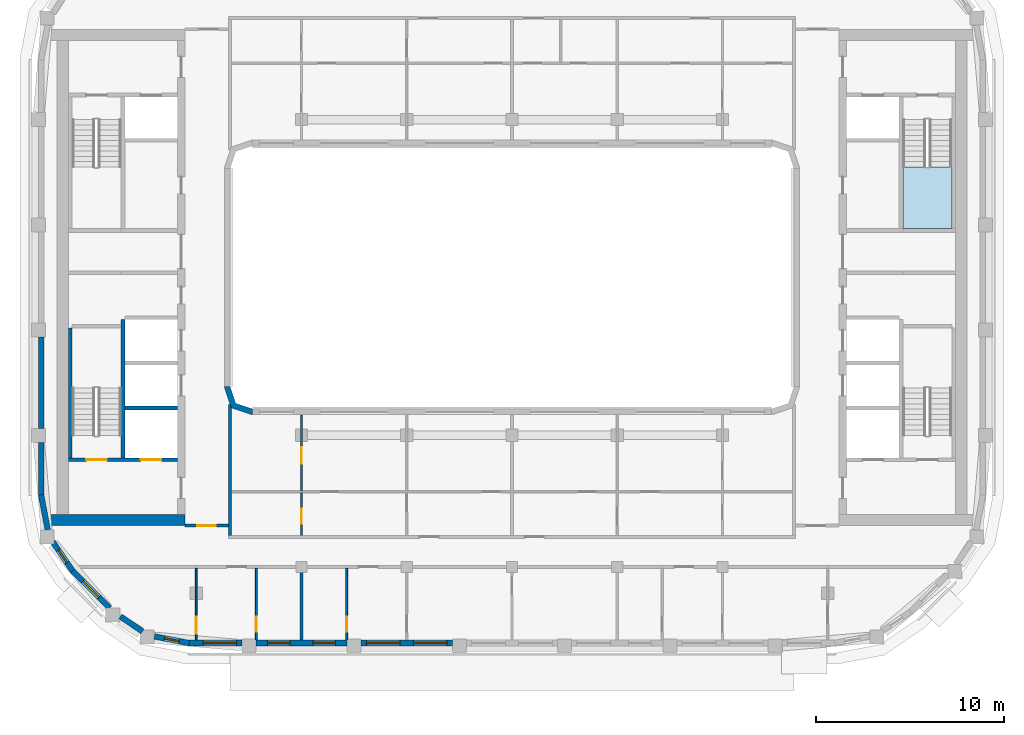
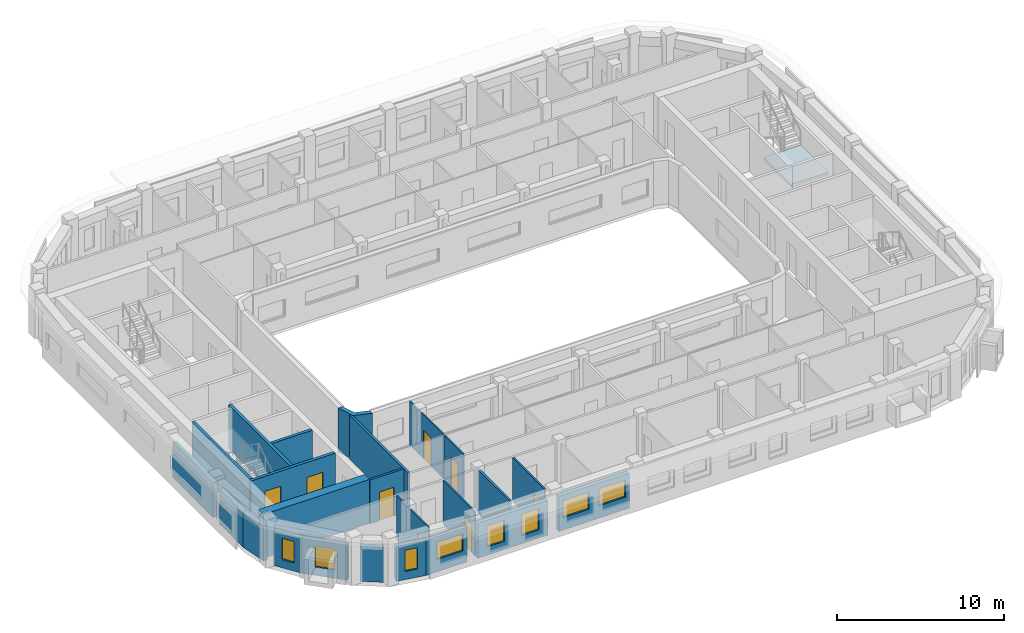
# One storey, part 2 of 16: 24 walls, 8 doors, 8 windows, 1 slab, 16 openings, 1 element without a shape of its own.
"""IFC4 building model written with IfcOpenShell, lengths in metres."""

from ifc_helpers import new_model, si_unit, direction, frame, frame_2d, origin, place, context, subcontext, project, spatial, polyline, rectangle, outline, extrude, material, layer, layer_set, type_object, element, fill, aggregate, save


model = new_model("IFC4")

# Units and contexts
model_context = context("Model", 3, precision=1e-05, world=origin(), true_north=direction((0.0, 1.0)))
body_context = subcontext(model_context, "Body", "Model", "MODEL_VIEW")
ifc_project = project(units=[si_unit("LENGTHUNIT", "METRE"), si_unit("AREAUNIT", "SQUARE_METRE"), si_unit("VOLUMEUNIT", "CUBIC_METRE"), si_unit("PLANEANGLEUNIT", "RADIAN"), si_unit("MASSUNIT", "GRAM", prefix="KILO")], contexts=[model_context])

# Site, building, storey
site_placement = place(None, origin())
site = spatial("IfcSite", under=ifc_project, at=site_placement, CompositionType="ELEMENT")
building_placement = place(site_placement, origin())
building = spatial("IfcBuilding", under=site, at=building_placement, Name="Kiln Ring Residences", CompositionType="ELEMENT")
storey_placement = place(building_placement, frame((0.0, 0.0, 273.199951171875)))
storey = spatial("IfcBuildingStorey", under=building, at=storey_placement, Name="L71", CompositionType="ELEMENT", Elevation=273.199951171875)

# Stair, slab
ifc_material_1 = material(Name="Concrete C40/50", Category="concrete")
stair_type = type_object("IfcStairType", Name="CORE-STAIR", PredefinedType="HALF_TURN_STAIR", material=ifc_material_1)
placement = place(storey_placement, origin())
stair = element("IfcStair", 1, at=placement, inside=storey, type_object=stair_type, Name="L71 stair E-STN", PredefinedType="HALF_TURN_STAIR")
ifc_material_2 = material(Name="Concrete C40/50", Category="concrete")
ifc_layer_1 = layer(ifc_material_2, 0.199951171875)
ifc_layer_set_1 = layer_set([ifc_layer_1], Name="CORE-STAIR-LANDING")
slab_type = type_object("IfcSlabType", Name="CORE-STAIR-LANDING", PredefinedType="LANDING", material=ifc_layer_set_1)
slab_placement = place(storey_placement, frame((0.0, 0.0, 1.550048828125)))
slab = element("IfcSlab", 2, at=slab_placement, type_object=slab_type, Name="E-STN landing 1", PredefinedType="LANDING", context=body_context, shape_type="SweptSolid", body=[
    extrude(outline(polyline([(20.800048828125, 5.8798828125), (20.800048828125, 2.60009765625), (23.39990234375, 2.60009765625), (23.39990234375, 5.8798828125), (20.800048828125, 5.8798828125)])), origin(), (0.0, 0.0, 1.0), 0.199951171875),
])
aggregate(stair, [slab])

# Walls
ifc_material_3 = material(Name="Gypsum shaft wall system")
ifc_layer_2 = layer(ifc_material_3, 0.199951171875)
ifc_layer_set_2 = layer_set([ifc_layer_2], Name="CORE-SHAFT-WALL-200")
wall_type_1 = type_object("IfcWallType", Name="CORE-SHAFT-WALL-200", PredefinedType="PARTITIONING", material=ifc_layer_set_2)
wall_1_placement = place(storey_placement, frame((-17.800048828125, -6.949951171875, 0.0), z_axis=(0.0, 0.0, 1.0), x_axis=(-1.0, 0.0, 0.0)))
element("IfcWall", 3, at=wall_1_placement, inside=storey, type_object=wall_type_1, Name="Core partition west L71 2", PredefinedType="PARTITIONING", context=body_context, shape_type="SweptSolid", body=[
    extrude(rectangle(XDim=2.800048828125, YDim=0.199951171875, at=frame_2d((1.39990234375, 0.0))), origin(), (0.0, 0.0, 1.0), 3.199951171875),
])
ifc_material_4 = material(Name="Concrete C40/50", Category="concrete")
ifc_layer_3 = layer(ifc_material_4, 0.199951171875)
ifc_layer_set_3 = layer_set([ifc_layer_3], Name="CORE-WALL-RC200")
wall_type_2 = type_object("IfcWallType", Name="CORE-WALL-RC200", PredefinedType="SHEAR", material=ifc_layer_set_3)
wall_2_placement = place(storey_placement, frame((-20.699951171875, -9.60009765625, 0.0), z_axis=(0.0, 0.0, 1.0), x_axis=(0.0, 1.0, 0.0)))
element("IfcWall", 4, at=wall_2_placement, inside=storey, type_object=wall_type_2, Name="Core wall west L71 2", PredefinedType="SHEAR", context=body_context, shape_type="SweptSolid", body=[
    extrude(rectangle(XDim=7.35009765625, YDim=0.199951171875, at=frame_2d((3.675048828125, 0.0))), origin(), (0.0, 0.0, 1.0), 3.199951171875),
])

# Wall, openings, doors
wall_3_placement = place(storey_placement, frame((-17.800048828125, -9.699951171875, 0.0), z_axis=(0.0, 0.0, 1.0), x_axis=(-1.0, 0.0, 0.0)))
wall_3 = element("IfcWall", 5, at=wall_3_placement, inside=storey, type_object=wall_type_2, Name="Core wall west L71 8", PredefinedType="SHEAR", context=body_context, shape_type="SweptSolid", body=[
    extrude(rectangle(XDim=5.800048828125, YDim=0.199951171875, at=frame_2d((2.89990234375, 0.0))), origin(), (0.0, 0.0, 1.0), 3.199951171875),
])
opening_1_placement = place(wall_3_placement, frame((0.85009765625, 0.0, 0.0)))
opening_1 = element("IfcOpeningElement", 6, at=opening_1_placement, cuts=wall_3, Name="Opening L71-CW01", PredefinedType="OPENING", context=body_context, shape_type="SweptSolid", body=[
    extrude(rectangle(XDim=1.10009765625, YDim=2.10009765625, at=frame_2d((0.550048828125, 1.050048828125))), frame((0.0, 0.10986328125, 0.0), z_axis=(0.0, -1.0, 0.0), x_axis=(1.0, 0.0, 0.0)), (0.0, 0.0, 1.0), 0.219970703125),
])
opening_2_placement = place(wall_3_placement, frame((3.75, 0.0, 0.0)))
opening_2 = element("IfcOpeningElement", 7, at=opening_2_placement, cuts=wall_3, Name="Opening L71-CW10", PredefinedType="OPENING", context=body_context, shape_type="SweptSolid", body=[
    extrude(rectangle(XDim=1.10009765625, YDim=2.10009765625, at=frame_2d((0.550048828125, 1.050048828125))), frame((0.0, 0.10986328125, 0.0), z_axis=(0.0, -1.0, 0.0), x_axis=(1.0, 0.0, 0.0)), (0.0, 0.0, 1.0), 0.219970703125),
])
ifc_material_5 = material(Name="Steel door leaf", Category="steel")
door_type_1 = type_object("IfcDoorType", Name="CORE-DOOR-LD", OperationType="DOUBLE_DOOR_SLIDING", PredefinedType="DOOR", material=ifc_material_5)
door_1_placement = place(opening_1_placement, origin())
door_1 = element("IfcDoor", 8, at=door_1_placement, inside=storey, type_object=door_type_1, Name="LD W-SV L71-CW01", OperationType="DOUBLE_DOOR_SLIDING", OverallHeight=2.10009765625, OverallWidth=1.10009765625, PredefinedType="DOOR", context=body_context, shape_type="SweptSolid", body=[
    extrude(rectangle(XDim=1.10009765625, YDim=2.10009765625, at=frame_2d((0.550048828125, 1.050048828125))), frame((0.0, 0.02490234375, 0.0), z_axis=(0.0, -1.0, 0.0), x_axis=(1.0, 0.0, 0.0)), (0.0, 0.0, 1.0), 0.050048828125),
])
fill(opening_1, door_1)
ifc_material_6 = material(Name="Steel door leaf", Category="steel")
door_type_2 = type_object("IfcDoorType", Name="CORE-DOOR-STAIR", OperationType="SINGLE_SWING_LEFT", PredefinedType="DOOR", material=ifc_material_6)
door_2_placement = place(opening_2_placement, origin())
door_2 = element("IfcDoor", 9, at=door_2_placement, inside=storey, type_object=door_type_2, Name="Stair W-STS L71-CW10", OperationType="SINGLE_SWING_LEFT", OverallHeight=2.10009765625, OverallWidth=1.10009765625, PredefinedType="DOOR", context=body_context, shape_type="SweptSolid", body=[
    extrude(rectangle(XDim=1.10009765625, YDim=2.10009765625, at=frame_2d((0.550048828125, 1.050048828125))), frame((0.0, 0.02490234375, 0.0), z_axis=(0.0, -1.0, 0.0), x_axis=(1.0, 0.0, 0.0)), (0.0, 0.0, 1.0), 0.050048828125),
])
fill(opening_2, door_2)

# Walls
wall_4_placement = place(storey_placement, frame((-23.5, -9.60009765625, 0.0), z_axis=(0.0, 0.0, 1.0), x_axis=(0.0, 1.0, 0.0)))
element("IfcWall", 10, at=wall_4_placement, inside=storey, type_object=wall_type_2, Name="Core wall west L71 11", PredefinedType="SHEAR", context=body_context, shape_type="SweptSolid", body=[
    extrude(rectangle(XDim=6.900146484375, YDim=0.199951171875, at=frame_2d((3.4501953125, 0.0))), origin(), (0.0, 0.0, 1.0), 3.199951171875),
])
ifc_material_7 = material(Name="Concrete C60/75", Category="concrete")
ifc_layer_4 = layer(ifc_material_7, 0.60009765625)
ifc_layer_set_4 = layer_set([ifc_layer_4], Name="CORE-WALL-RC600")
wall_type_3 = type_object("IfcWallType", Name="CORE-WALL-RC600", PredefinedType="SHEAR", material=ifc_layer_set_4)
wall_5_placement = place(storey_placement, frame((-17.39990234375, -12.89990234375, 0.0), z_axis=(0.0, 0.0, 1.0), x_axis=(-1.0, 0.0, 0.0)))
element("IfcWall", 11, at=wall_5_placement, inside=storey, type_object=wall_type_3, Name="Core wall west L71 5", PredefinedType="SHEAR", context=body_context, shape_type="SweptSolid", body=[
    extrude(rectangle(XDim=7.320068359375, YDim=0.60009765625, at=frame_2d((3.66015625, 0.0))), origin(), (0.0, 0.0, 1.0), 3.199951171875),
])

# Wall, opening, window
ifc_material_8 = material(Name="Brick masonry, dark clay brick", Category="masonry")
ifc_layer_5 = layer(ifc_material_8, 0.300048828125)
ifc_layer_set_5 = layer_set([ifc_layer_5], Name="EW-300 BRICK WALL")
wall_type_4 = type_object("IfcWallType", Name="EW-300 BRICK WALL", PredefinedType="SOLIDWALL", material=ifc_layer_set_5)
wall_6_placement = place(storey_placement, frame((-23.39697265625, -15.591064453125, 0.0), z_axis=(0.0, 0.0, 1.0), x_axis=(0.707106781187, -0.707106781187, 0.0)))
wall_6 = element("IfcWall", 12, at=wall_6_placement, inside=storey, type_object=wall_type_4, Name="Facade wall L71 1", PredefinedType="SOLIDWALL", context=body_context, shape_type="SweptSolid", body=[
    extrude(rectangle(XDim=2.824951171875, YDim=0.300048828125, at=frame_2d((1.41259765625, 0.0))), origin(), (0.0, 0.0, 1.0), 2.550048828125),
])
opening_3_placement = place(wall_6_placement, frame((0.8125, 0.0, 0.60009765625)))
opening_3 = element("IfcOpeningElement", 13, at=opening_3_placement, cuts=wall_6, Name="Opening W1", PredefinedType="OPENING", context=body_context, shape_type="SweptSolid", body=[
    extrude(rectangle(XDim=1.199951171875, YDim=1.550048828125, at=frame_2d((0.60009765625, 0.77490234375))), frame((0.0, 0.159912109375, 0.0), z_axis=(0.0, -1.0, 0.0), x_axis=(1.0, 0.0, 0.0)), (0.0, 0.0, 1.0), 0.320068359375),
])
ifc_material_9 = material(Name="Aluminium frame with double glazing", Category="aluminium")
window_type_1 = type_object("IfcWindowType", Name="WINDOW 1200 x 1550", PartitioningType="SINGLE_PANEL", PredefinedType="WINDOW", material=ifc_material_9)
window_1_placement = place(opening_3_placement, origin())
window_1 = element("IfcWindow", 14, at=window_1_placement, inside=storey, type_object=window_type_1, Name="Window L71 1", OverallHeight=1.550048828125, OverallWidth=1.199951171875, PartitioningType="SINGLE_PANEL", PredefinedType="WINDOW", context=body_context, shape_type="SweptSolid", body=[
    extrude(rectangle(XDim=1.199951171875, YDim=1.550048828125, at=frame_2d((0.60009765625, 0.77490234375))), frame((0.0, 0.030029296875, 0.0), z_axis=(0.0, -1.0, 0.0), x_axis=(1.0, 0.0, 0.0)), (0.0, 0.0, 1.0), 0.06005859375),
])
fill(opening_3, window_1)

# Wall
wall_7_placement = place(storey_placement, frame((-20.837158203125, -18.0341796875, 0.0), z_axis=(0.0, 0.0, 1.0), x_axis=(0.827095130818, -0.562061957952, 0.0)))
element("IfcWall", 15, at=wall_7_placement, inside=storey, type_object=wall_type_4, Name="Facade wall L71 2", PredefinedType="SOLIDWALL", context=body_context, shape_type="SweptSolid", body=[
    extrude(rectangle(XDim=1.427001953125, YDim=0.300048828125, at=frame_2d((0.71337890625, 0.0))), origin(), (0.0, 0.0, 1.0), 2.550048828125),
])

# Wall, opening, window
wall_8_placement = place(storey_placement, frame((-19.019775390625, -19.10009765625, 0.0), z_axis=(0.0, 0.0, 1.0), x_axis=(0.982284001233, -0.187398348234, 0.0)))
wall_8 = element("IfcWall", 16, at=wall_8_placement, inside=storey, type_object=wall_type_4, Name="Facade wall L71 3", PredefinedType="SOLIDWALL", context=body_context, shape_type="SweptSolid", body=[
    extrude(rectangle(XDim=1.88134765625, YDim=0.300048828125, at=frame_2d((0.940673828125, 0.0))), origin(), (0.0, 0.0, 1.0), 2.550048828125),
])
opening_4_placement = place(wall_8_placement, frame((0.54052734375, 0.0, 0.60009765625)))
opening_4 = element("IfcOpeningElement", 17, at=opening_4_placement, cuts=wall_8, Name="Opening W5", PredefinedType="OPENING", context=body_context, shape_type="SweptSolid", body=[
    extrude(rectangle(XDim=0.800048828125, YDim=1.550048828125, at=frame_2d((0.39990234375, 0.77490234375))), frame((0.0, 0.159912109375, 0.0), z_axis=(0.0, -1.0, 0.0), x_axis=(1.0, 0.0, 0.0)), (0.0, 0.0, 1.0), 0.320068359375),
])
ifc_material_10 = material(Name="Aluminium frame with double glazing", Category="aluminium")
window_type_2 = type_object("IfcWindowType", Name="WINDOW 800 x 1550", PartitioningType="SINGLE_PANEL", PredefinedType="WINDOW", material=ifc_material_10)
window_2_placement = place(opening_4_placement, origin())
window_2 = element("IfcWindow", 18, at=window_2_placement, inside=storey, type_object=window_type_2, Name="Window L71 2", OverallHeight=1.550048828125, OverallWidth=0.800048828125, PartitioningType="SINGLE_PANEL", PredefinedType="WINDOW", context=body_context, shape_type="SweptSolid", body=[
    extrude(rectangle(XDim=0.800048828125, YDim=1.550048828125, at=frame_2d((0.39990234375, 0.77490234375))), frame((0.0, 0.030029296875, 0.0), z_axis=(0.0, -1.0, 0.0), x_axis=(1.0, 0.0, 0.0)), (0.0, 0.0, 1.0), 0.06005859375),
])
fill(opening_4, window_2)

wall_9_placement = place(storey_placement, frame((-17.199951171875, -19.449951171875, 0.0), z_axis=(0.0, 0.0, 1.0), x_axis=(1.0, 0.0, 0.0)))
wall_9 = element("IfcWall", 19, at=wall_9_placement, inside=storey, type_object=wall_type_4, Name="Facade wall L71 4", PredefinedType="SOLIDWALL", context=body_context, shape_type="SweptSolid", body=[
    extrude(rectangle(XDim=2.824951171875, YDim=0.300048828125, at=frame_2d((1.41259765625, 0.0))), origin(), (0.0, 0.0, 1.0), 2.550048828125),
])
opening_5_placement = place(wall_9_placement, frame((0.75, 0.0, 0.89990234375)))
opening_5 = element("IfcOpeningElement", 20, at=opening_5_placement, cuts=wall_9, Name="Opening W2", PredefinedType="OPENING", context=body_context, shape_type="SweptSolid", body=[
    extrude(rectangle(XDim=1.800048828125, YDim=1.25, at=frame_2d((0.89990234375, 0.625))), frame((0.0, 0.159912109375, 0.0), z_axis=(0.0, -1.0, 0.0), x_axis=(1.0, 0.0, 0.0)), (0.0, 0.0, 1.0), 0.320068359375),
])
ifc_material_11 = material(Name="Aluminium frame with double glazing", Category="aluminium")
window_type_3 = type_object("IfcWindowType", Name="WINDOW 1800 x 1250", PartitioningType="SINGLE_PANEL", PredefinedType="WINDOW", material=ifc_material_11)
window_3_placement = place(opening_5_placement, origin())
window_3 = element("IfcWindow", 21, at=window_3_placement, inside=storey, type_object=window_type_3, Name="Window L71 3", OverallHeight=1.25, OverallWidth=1.800048828125, PartitioningType="SINGLE_PANEL", PredefinedType="WINDOW", context=body_context, shape_type="SweptSolid", body=[
    extrude(rectangle(XDim=1.800048828125, YDim=1.25, at=frame_2d((0.89990234375, 0.625))), frame((0.0, 0.030029296875, 0.0), z_axis=(0.0, -1.0, 0.0), x_axis=(1.0, 0.0, 0.0)), (0.0, 0.0, 1.0), 0.06005859375),
])
fill(opening_5, window_3)

# Wall, openings, windows
wall_10_placement = place(storey_placement, frame((-13.625, -19.449951171875, 0.0), z_axis=(0.0, 0.0, 1.0), x_axis=(1.0, 0.0, 0.0)))
wall_10 = element("IfcWall", 22, at=wall_10_placement, inside=storey, type_object=wall_type_4, Name="Facade wall L71 5", PredefinedType="SOLIDWALL", context=body_context, shape_type="SweptSolid", body=[
    extrude(rectangle(XDim=4.85009765625, YDim=0.300048828125, at=frame_2d((2.425048828125, 0.0))), origin(), (0.0, 0.0, 1.0), 2.550048828125),
])
opening_6_placement = place(wall_10_placement, frame((0.625, 0.0, 0.60009765625)))
opening_6 = element("IfcOpeningElement", 23, at=opening_6_placement, cuts=wall_10, Name="Opening W1", PredefinedType="OPENING", context=body_context, shape_type="SweptSolid", body=[
    extrude(rectangle(XDim=1.199951171875, YDim=1.550048828125, at=frame_2d((0.60009765625, 0.77490234375))), frame((0.0, 0.159912109375, 0.0), z_axis=(0.0, -1.0, 0.0), x_axis=(1.0, 0.0, 0.0)), (0.0, 0.0, 1.0), 0.320068359375),
])
opening_7_placement = place(wall_10_placement, frame((3.02490234375, 0.0, 0.60009765625)))
opening_7 = element("IfcOpeningElement", 24, at=opening_7_placement, cuts=wall_10, Name="Opening W1", PredefinedType="OPENING", context=body_context, shape_type="SweptSolid", body=[
    extrude(rectangle(XDim=1.199951171875, YDim=1.550048828125, at=frame_2d((0.60009765625, 0.77490234375))), frame((0.0, 0.159912109375, 0.0), z_axis=(0.0, -1.0, 0.0), x_axis=(1.0, 0.0, 0.0)), (0.0, 0.0, 1.0), 0.320068359375),
])
window_4_placement = place(opening_6_placement, origin())
window_4 = element("IfcWindow", 25, at=window_4_placement, inside=storey, type_object=window_type_1, Name="Window L71 4", OverallHeight=1.550048828125, OverallWidth=1.199951171875, PartitioningType="SINGLE_PANEL", PredefinedType="WINDOW", context=body_context, shape_type="SweptSolid", body=[
    extrude(rectangle(XDim=1.199951171875, YDim=1.550048828125, at=frame_2d((0.60009765625, 0.77490234375))), frame((0.0, 0.030029296875, 0.0), z_axis=(0.0, -1.0, 0.0), x_axis=(1.0, 0.0, 0.0)), (0.0, 0.0, 1.0), 0.06005859375),
])
fill(opening_6, window_4)
window_5_placement = place(opening_7_placement, origin())
window_5 = element("IfcWindow", 26, at=window_5_placement, inside=storey, type_object=window_type_1, Name="Window L71 5", OverallHeight=1.550048828125, OverallWidth=1.199951171875, PartitioningType="SINGLE_PANEL", PredefinedType="WINDOW", context=body_context, shape_type="SweptSolid", body=[
    extrude(rectangle(XDim=1.199951171875, YDim=1.550048828125, at=frame_2d((0.60009765625, 0.77490234375))), frame((0.0, 0.030029296875, 0.0), z_axis=(0.0, -1.0, 0.0), x_axis=(1.0, 0.0, 0.0)), (0.0, 0.0, 1.0), 0.06005859375),
])
fill(opening_7, window_5)

wall_11_placement = place(storey_placement, frame((-8.02490234375, -19.449951171875, 0.0), z_axis=(0.0, 0.0, 1.0), x_axis=(1.0, 0.0, 0.0)))
wall_11 = element("IfcWall", 27, at=wall_11_placement, inside=storey, type_object=wall_type_4, Name="Facade wall L71 6", PredefinedType="SOLIDWALL", context=body_context, shape_type="SweptSolid", body=[
    extrude(rectangle(XDim=4.849853515625, YDim=0.300048828125, at=frame_2d((2.4248046875, 0.0))), origin(), (0.0, 0.0, 1.0), 2.550048828125),
])
opening_8_placement = place(wall_11_placement, frame((0.27490234375, 0.0, 0.89990234375)))
opening_8 = element("IfcOpeningElement", 28, at=opening_8_placement, cuts=wall_11, Name="Opening W2", PredefinedType="OPENING", context=body_context, shape_type="SweptSolid", body=[
    extrude(rectangle(XDim=1.800048828125, YDim=1.25, at=frame_2d((0.89990234375, 0.625))), frame((0.0, 0.159912109375, 0.0), z_axis=(0.0, -1.0, 0.0), x_axis=(1.0, 0.0, 0.0)), (0.0, 0.0, 1.0), 0.320068359375),
])
opening_9_placement = place(wall_11_placement, frame((2.77490234375, 0.0, 0.89990234375)))
opening_9 = element("IfcOpeningElement", 29, at=opening_9_placement, cuts=wall_11, Name="Opening W2", PredefinedType="OPENING", context=body_context, shape_type="SweptSolid", body=[
    extrude(rectangle(XDim=1.800048828125, YDim=1.25, at=frame_2d((0.89990234375, 0.625))), frame((0.0, 0.159912109375, 0.0), z_axis=(0.0, -1.0, 0.0), x_axis=(1.0, 0.0, 0.0)), (0.0, 0.0, 1.0), 0.320068359375),
])
window_6_placement = place(opening_8_placement, origin())
window_6 = element("IfcWindow", 30, at=window_6_placement, inside=storey, type_object=window_type_3, Name="Window L71 6", OverallHeight=1.25, OverallWidth=1.800048828125, PartitioningType="SINGLE_PANEL", PredefinedType="WINDOW", context=body_context, shape_type="SweptSolid", body=[
    extrude(rectangle(XDim=1.800048828125, YDim=1.25, at=frame_2d((0.89990234375, 0.625))), frame((0.0, 0.030029296875, 0.0), z_axis=(0.0, -1.0, 0.0), x_axis=(1.0, 0.0, 0.0)), (0.0, 0.0, 1.0), 0.06005859375),
])
fill(opening_8, window_6)
window_7_placement = place(opening_9_placement, origin())
window_7 = element("IfcWindow", 31, at=window_7_placement, inside=storey, type_object=window_type_3, Name="Window L71 7", OverallHeight=1.25, OverallWidth=1.800048828125, PartitioningType="SINGLE_PANEL", PredefinedType="WINDOW", context=body_context, shape_type="SweptSolid", body=[
    extrude(rectangle(XDim=1.800048828125, YDim=1.25, at=frame_2d((0.89990234375, 0.625))), frame((0.0, 0.030029296875, 0.0), z_axis=(0.0, -1.0, 0.0), x_axis=(1.0, 0.0, 0.0)), (0.0, 0.0, 1.0), 0.06005859375),
])
fill(opening_9, window_7)

# Walls
wall_12_placement = place(storey_placement, frame((-25.050048828125, -3.175048828125, 0.0), z_axis=(0.0, 0.0, 1.0), x_axis=(0.0, -1.0, 0.0)))
element("IfcWall", 32, at=wall_12_placement, inside=storey, type_object=wall_type_4, Name="Facade wall L71 41", PredefinedType="SOLIDWALL", context=body_context, shape_type="SweptSolid", body=[
    extrude(rectangle(XDim=4.849853515625, YDim=0.300048828125, at=frame_2d((2.4248046875, 0.0))), origin(), (0.0, 0.0, 1.0), 2.550048828125),
])
wall_13_placement = place(storey_placement, frame((-25.050048828125, -8.77490234375, 0.0), z_axis=(0.0, 0.0, 1.0), x_axis=(0.0, -1.0, 0.0)))
element("IfcWall", 33, at=wall_13_placement, inside=storey, type_object=wall_type_4, Name="Facade wall L71 42", PredefinedType="SOLIDWALL", context=body_context, shape_type="SweptSolid", body=[
    extrude(rectangle(XDim=2.8251953125, YDim=0.300048828125, at=frame_2d((1.41259765625, 0.0))), origin(), (0.0, 0.0, 1.0), 2.550048828125),
])
wall_14_placement = place(storey_placement, frame((-25.052734375, -11.57177734375, 0.0), z_axis=(0.0, 0.0, 1.0), x_axis=(0.187398348234, -0.982284001233, 0.0)))
element("IfcWall", 34, at=wall_14_placement, inside=storey, type_object=wall_type_4, Name="Facade wall L71 43", PredefinedType="SOLIDWALL", context=body_context, shape_type="SweptSolid", body=[
    extrude(rectangle(XDim=1.88134765625, YDim=0.300048828125, at=frame_2d((0.940673828125, 0.0))), origin(), (0.0, 0.0, 1.0), 2.550048828125),
])

# Wall, opening, window
wall_15_placement = place(storey_placement, frame((-24.436279296875, -14.056884765625, 0.0), z_axis=(0.0, 0.0, 1.0), x_axis=(0.562075713892, -0.827085782645, 0.0)))
wall_15 = element("IfcWall", 35, at=wall_15_placement, inside=storey, type_object=wall_type_4, Name="Facade wall L71 44", PredefinedType="SOLIDWALL", context=body_context, shape_type="SweptSolid", body=[
    extrude(rectangle(XDim=1.881103515625, YDim=0.300048828125, at=frame_2d((0.9404296875, 0.0))), origin(), (0.0, 0.0, 1.0), 2.550048828125),
])
opening_10_placement = place(wall_15_placement, frame((0.54052734375, 0.0, 0.60009765625)))
opening_10 = element("IfcOpeningElement", 36, at=opening_10_placement, cuts=wall_15, Name="Opening W5", PredefinedType="OPENING", context=body_context, shape_type="SweptSolid", body=[
    extrude(rectangle(XDim=0.800048828125, YDim=1.550048828125, at=frame_2d((0.39990234375, 0.77490234375))), frame((0.0, 0.159912109375, 0.0), z_axis=(0.0, -1.0, 0.0), x_axis=(1.0, 0.0, 0.0)), (0.0, 0.0, 1.0), 0.320068359375),
])
window_8_placement = place(opening_10_placement, origin())
window_8 = element("IfcWindow", 37, at=window_8_placement, inside=storey, type_object=window_type_2, Name="Window L71 36", OverallHeight=1.550048828125, OverallWidth=0.800048828125, PartitioningType="SINGLE_PANEL", PredefinedType="WINDOW", context=body_context, shape_type="SweptSolid", body=[
    extrude(rectangle(XDim=0.800048828125, YDim=1.550048828125, at=frame_2d((0.39990234375, 0.77490234375))), frame((0.0, 0.030029296875, 0.0), z_axis=(0.0, -1.0, 0.0), x_axis=(1.0, 0.0, 0.0)), (0.0, 0.0, 1.0), 0.06005859375),
])
fill(opening_10, window_8)

# Wall
element("IfcWall", 38, at=placement, inside=storey, type_object=wall_type_4, Name="Corner wall L71 4", PredefinedType="SOLIDWALL", context=body_context, shape_type="SweptSolid", body=[
    extrude(outline(polyline([(-14.937255859375, -6.937255859375), (-13.8486328125, -7.300048828125), (-13.800048828125, -7.300048828125), (-13.800048828125, -7.0), (-14.699951171875, -6.699951171875), (-15.0, -5.800048828125), (-15.300048828125, -5.800048828125), (-15.300048828125, -5.8486328125), (-14.937255859375, -6.937255859375)])), origin(), (0.0, 0.0, 1.0), 3.199951171875),
])

# Wall, opening, door
ifc_material_12 = material(Name="Gypsum board on steel studs", Category="steel")
ifc_layer_6 = layer(ifc_material_12, 0.10009765625)
ifc_layer_set_6 = layer_set([ifc_layer_6], Name="PARTITION-100")
wall_type_5 = type_object("IfcWallType", Name="PARTITION-100", PredefinedType="PARTITIONING", material=ifc_layer_set_6)
wall_17_placement = place(storey_placement, frame((-16.800048828125, -19.280029296875, 0.0), z_axis=(0.0, 0.0, 1.0), x_axis=(0.0, 1.0, 0.0)))
wall_17 = element("IfcWall", 39, at=wall_17_placement, inside=storey, type_object=wall_type_5, Name="Partition 010", PredefinedType="PARTITIONING", context=body_context, shape_type="SweptSolid", body=[
    extrude(rectangle(XDim=3.804931640625, YDim=0.10009765625, at=frame_2d((1.90234375, 0.0))), origin(), (0.0, 0.0, 1.0), 3.199951171875),
])
opening_11_placement = place(wall_17_placement, frame((0.3291015625, 0.0, 0.0)))
opening_11 = element("IfcOpeningElement", 40, at=opening_11_placement, cuts=wall_17, Name="Opening L71-D044", PredefinedType="OPENING", context=body_context, shape_type="SweptSolid", body=[
    extrude(rectangle(XDim=0.89990234375, YDim=2.10009765625, at=frame_2d((0.449951171875, 1.050048828125))), frame((0.0, 0.06005859375, 0.0), z_axis=(0.0, -1.0, 0.0), x_axis=(1.0, 0.0, 0.0)), (0.0, 0.0, 1.0), 0.1201171875),
])
ifc_material_13 = material(Name="Timber door leaf", Category="wood")
door_type_3 = type_object("IfcDoorType", Name="FLAT-DOOR-900-PL", OperationType="SINGLE_SWING_LEFT", PredefinedType="DOOR", material=ifc_material_13)
door_3_placement = place(opening_11_placement, origin())
door_3 = element("IfcDoor", 41, at=door_3_placement, inside=storey, type_object=door_type_3, Name="Door L71-D044", OperationType="SINGLE_SWING_RIGHT", OverallHeight=2.10009765625, OverallWidth=0.89990234375, PredefinedType="DOOR", context=body_context, shape_type="SweptSolid", body=[
    extrude(rectangle(XDim=0.89990234375, YDim=2.10009765625, at=frame_2d((0.449951171875, 1.050048828125))), frame((0.0, 0.02490234375, 0.0), z_axis=(0.0, -1.0, 0.0), x_axis=(1.0, 0.0, 0.0)), (0.0, 0.0, 1.0), 0.050048828125),
])
fill(opening_11, door_3)

wall_18_placement = place(storey_placement, frame((-13.60009765625, -19.280029296875, 0.0), z_axis=(0.0, 0.0, 1.0), x_axis=(0.0, 1.0, 0.0)))
wall_18 = element("IfcWall", 42, at=wall_18_placement, inside=storey, type_object=wall_type_5, Name="Partition 014", PredefinedType="PARTITIONING", context=body_context, shape_type="SweptSolid", body=[
    extrude(rectangle(XDim=3.804931640625, YDim=0.10009765625, at=frame_2d((1.90234375, 0.0))), origin(), (0.0, 0.0, 1.0), 3.199951171875),
])
opening_12_placement = place(wall_18_placement, frame((0.419921875, 0.0, 0.0)))
opening_12 = element("IfcOpeningElement", 43, at=opening_12_placement, cuts=wall_18, Name="Opening L71-D043", PredefinedType="OPENING", context=body_context, shape_type="SweptSolid", body=[
    extrude(rectangle(XDim=0.800048828125, YDim=2.10009765625, at=frame_2d((0.39990234375, 1.050048828125))), frame((0.0, 0.06005859375, 0.0), z_axis=(0.0, -1.0, 0.0), x_axis=(1.0, 0.0, 0.0)), (0.0, 0.0, 1.0), 0.1201171875),
])
ifc_material_14 = material(Name="Timber door leaf", Category="wood")
door_type_4 = type_object("IfcDoorType", Name="FLAT-DOOR-800-PL", OperationType="SINGLE_SWING_LEFT", PredefinedType="DOOR", material=ifc_material_14)
door_4_placement = place(opening_12_placement, origin())
door_4 = element("IfcDoor", 44, at=door_4_placement, inside=storey, type_object=door_type_4, Name="Door L71-D043", OperationType="SINGLE_SWING_LEFT", OverallHeight=2.10009765625, OverallWidth=0.800048828125, PredefinedType="DOOR", context=body_context, shape_type="SweptSolid", body=[
    extrude(rectangle(XDim=0.800048828125, YDim=2.10009765625, at=frame_2d((0.39990234375, 1.050048828125))), frame((0.0, 0.02490234375, 0.0), z_axis=(0.0, -1.0, 0.0), x_axis=(1.0, 0.0, 0.0)), (0.0, 0.0, 1.0), 0.050048828125),
])
fill(opening_12, door_4)

wall_19_placement = place(storey_placement, frame((-11.199951171875, -13.72509765625, 0.0), z_axis=(0.0, 0.0, 1.0), x_axis=(0.0, 1.0, 0.0)))
wall_19 = element("IfcWall", 45, at=wall_19_placement, inside=storey, type_object=wall_type_5, Name="Partition 016", PredefinedType="PARTITIONING", context=body_context, shape_type="SweptSolid", body=[
    extrude(rectangle(XDim=2.275146484375, YDim=0.10009765625, at=frame_2d((1.1376953125, 0.0))), origin(), (0.0, 0.0, 1.0), 3.199951171875),
])
opening_13_placement = place(wall_19_placement, frame((0.625, 0.0, 0.0)))
opening_13 = element("IfcOpeningElement", 46, at=opening_13_placement, cuts=wall_19, Name="Opening L71-D032", PredefinedType="OPENING", context=body_context, shape_type="SweptSolid", body=[
    extrude(rectangle(XDim=0.800048828125, YDim=2.10009765625, at=frame_2d((0.39990234375, 1.050048828125))), frame((0.0, 0.06005859375, 0.0), z_axis=(0.0, -1.0, 0.0), x_axis=(1.0, 0.0, 0.0)), (0.0, 0.0, 1.0), 0.1201171875),
])
door_5_placement = place(opening_13_placement, origin())
door_5 = element("IfcDoor", 47, at=door_5_placement, inside=storey, type_object=door_type_4, Name="Door L71-D032", OperationType="SINGLE_SWING_RIGHT", OverallHeight=2.10009765625, OverallWidth=0.800048828125, PredefinedType="DOOR", context=body_context, shape_type="SweptSolid", body=[
    extrude(rectangle(XDim=0.800048828125, YDim=2.10009765625, at=frame_2d((0.39990234375, 1.050048828125))), frame((0.0, 0.02490234375, 0.0), z_axis=(0.0, -1.0, 0.0), x_axis=(1.0, 0.0, 0.0)), (0.0, 0.0, 1.0), 0.050048828125),
])
fill(opening_13, door_5)

wall_20_placement = place(storey_placement, frame((-11.199951171875, -11.35009765625, 0.0), z_axis=(0.0, 0.0, 1.0), x_axis=(0.0, 1.0, 0.0)))
wall_20 = element("IfcWall", 48, at=wall_20_placement, inside=storey, type_object=wall_type_5, Name="Partition 017", PredefinedType="PARTITIONING", context=body_context, shape_type="SweptSolid", body=[
    extrude(rectangle(XDim=4.030029296875, YDim=0.10009765625, at=frame_2d((2.01513671875, 0.0))), origin(), (0.0, 0.0, 1.0), 3.199951171875),
])
opening_14_placement = place(wall_20_placement, frame((1.429931640625, 0.0, 0.0)))
opening_14 = element("IfcOpeningElement", 49, at=opening_14_placement, cuts=wall_20, Name="Opening L71-D035", PredefinedType="OPENING", context=body_context, shape_type="SweptSolid", body=[
    extrude(rectangle(XDim=0.89990234375, YDim=2.10009765625, at=frame_2d((0.449951171875, 1.050048828125))), frame((0.0, 0.06005859375, 0.0), z_axis=(0.0, -1.0, 0.0), x_axis=(1.0, 0.0, 0.0)), (0.0, 0.0, 1.0), 0.1201171875),
])
door_6_placement = place(opening_14_placement, origin())
door_6 = element("IfcDoor", 50, at=door_6_placement, inside=storey, type_object=door_type_3, Name="Door L71-D035", OperationType="SINGLE_SWING_RIGHT", OverallHeight=2.10009765625, OverallWidth=0.89990234375, PredefinedType="DOOR", context=body_context, shape_type="SweptSolid", body=[
    extrude(rectangle(XDim=0.89990234375, YDim=2.10009765625, at=frame_2d((0.449951171875, 1.050048828125))), frame((0.0, 0.02490234375, 0.0), z_axis=(0.0, -1.0, 0.0), x_axis=(1.0, 0.0, 0.0)), (0.0, 0.0, 1.0), 0.050048828125),
])
fill(opening_14, door_6)

wall_21_placement = place(storey_placement, frame((-8.800048828125, -19.280029296875, 0.0), z_axis=(0.0, 0.0, 1.0), x_axis=(0.0, 1.0, 0.0)))
wall_21 = element("IfcWall", 51, at=wall_21_placement, inside=storey, type_object=wall_type_5, Name="Partition 022", PredefinedType="PARTITIONING", context=body_context, shape_type="SweptSolid", body=[
    extrude(rectangle(XDim=3.804931640625, YDim=0.10009765625, at=frame_2d((1.90234375, 0.0))), origin(), (0.0, 0.0, 1.0), 3.199951171875),
])
opening_15_placement = place(wall_21_placement, frame((0.428955078125, 0.0, 0.0)))
opening_15 = element("IfcOpeningElement", 52, at=opening_15_placement, cuts=wall_21, Name="Opening L71-D046", PredefinedType="OPENING", context=body_context, shape_type="SweptSolid", body=[
    extrude(rectangle(XDim=0.800048828125, YDim=2.10009765625, at=frame_2d((0.39990234375, 1.050048828125))), frame((0.0, 0.06005859375, 0.0), z_axis=(0.0, -1.0, 0.0), x_axis=(1.0, 0.0, 0.0)), (0.0, 0.0, 1.0), 0.1201171875),
])
door_7_placement = place(opening_15_placement, origin())
door_7 = element("IfcDoor", 53, at=door_7_placement, inside=storey, type_object=door_type_4, Name="Door L71-D046", OperationType="SINGLE_SWING_RIGHT", OverallHeight=2.10009765625, OverallWidth=0.800048828125, PredefinedType="DOOR", context=body_context, shape_type="SweptSolid", body=[
    extrude(rectangle(XDim=0.800048828125, YDim=2.10009765625, at=frame_2d((0.39990234375, 1.050048828125))), frame((0.0, 0.02490234375, 0.0), z_axis=(0.0, -1.0, 0.0), x_axis=(1.0, 0.0, 0.0)), (0.0, 0.0, 1.0), 0.050048828125),
])
fill(opening_15, door_7)

ifc_material_15 = material(Name="Brick masonry partition", Category="masonry")
ifc_layer_7 = layer(ifc_material_15, 0.14990234375)
ifc_layer_set_7 = layer_set([ifc_layer_7], Name="PARTITION-150-ei60")
wall_type_6 = type_object("IfcWallType", Name="PARTITION-150-ei60", PredefinedType="PARTITIONING", material=ifc_layer_set_7)
wall_22_placement = place(storey_placement, frame((-17.39990234375, -13.199951171875, 0.0), z_axis=(0.0, 0.0, 1.0), x_axis=(1.0, 0.0, 0.0)))
wall_22 = element("IfcWall", 54, at=wall_22_placement, inside=storey, type_object=wall_type_6, Name="Partition 002", PredefinedType="PARTITIONING", context=body_context, shape_type="SweptSolid", body=[
    extrude(rectangle(XDim=2.324951171875, YDim=0.14990234375, at=frame_2d((1.16259765625, 0.0))), origin(), (0.0, 0.0, 1.0), 3.199951171875),
])
opening_16_placement = place(wall_22_placement, frame((0.64990234375, 0.0, 0.0)))
opening_16 = element("IfcOpeningElement", 55, at=opening_16_placement, cuts=wall_22, Name="Opening L71-D003", PredefinedType="OPENING", context=body_context, shape_type="SweptSolid", body=[
    extrude(rectangle(XDim=1.0, YDim=2.10009765625, at=frame_2d((0.5, 1.050048828125))), frame((0.0, 0.0849609375, 0.0), z_axis=(0.0, -1.0, 0.0), x_axis=(1.0, 0.0, 0.0)), (0.0, 0.0, 1.0), 0.169921875),
])
ifc_material_16 = material(Name="Steel faced fire door leaf", Category="steel")
door_type_5 = type_object("IfcDoorType", Name="FLAT-DOOR-1000-FR", OperationType="SINGLE_SWING_LEFT", PredefinedType="DOOR", material=ifc_material_16)
door_8_placement = place(opening_16_placement, origin())
door_8 = element("IfcDoor", 56, at=door_8_placement, inside=storey, type_object=door_type_5, Name="Door L71-D003", OperationType="SINGLE_SWING_RIGHT", OverallHeight=2.10009765625, OverallWidth=1.0, PredefinedType="DOOR", context=body_context, shape_type="SweptSolid", body=[
    extrude(rectangle(XDim=1.0, YDim=2.10009765625, at=frame_2d((0.5, 1.050048828125))), frame((0.0, 0.02490234375, 0.0), z_axis=(0.0, -1.0, 0.0), x_axis=(1.0, 0.0, 0.0)), (0.0, 0.0, 1.0), 0.050048828125),
])
fill(opening_16, door_8)

# Walls
wall_23_placement = place(storey_placement, frame((-15.0, -13.72509765625, 0.0), z_axis=(0.0, 0.0, 1.0), x_axis=(0.0, 1.0, 0.0)))
element("IfcWall", 57, at=wall_23_placement, inside=storey, type_object=wall_type_6, Name="Partition 012", PredefinedType="PARTITIONING", context=body_context, shape_type="SweptSolid", body=[
    extrude(rectangle(XDim=6.956298828125, YDim=0.14990234375, at=frame_2d((3.47802734375, 0.0))), origin(), (0.0, 0.0, 1.0), 3.199951171875),
])
wall_24_placement = place(storey_placement, frame((-11.199951171875, -19.280029296875, 0.0), z_axis=(0.0, 0.0, 1.0), x_axis=(0.0, 1.0, 0.0)))
element("IfcWall", 58, at=wall_24_placement, inside=storey, type_object=wall_type_6, Name="Partition 020", PredefinedType="PARTITIONING", context=body_context, shape_type="SweptSolid", body=[
    extrude(rectangle(XDim=3.804931640625, YDim=0.14990234375, at=frame_2d((1.90234375, 0.0))), origin(), (0.0, 0.0, 1.0), 3.199951171875),
])

save(model, "model.ifc")
